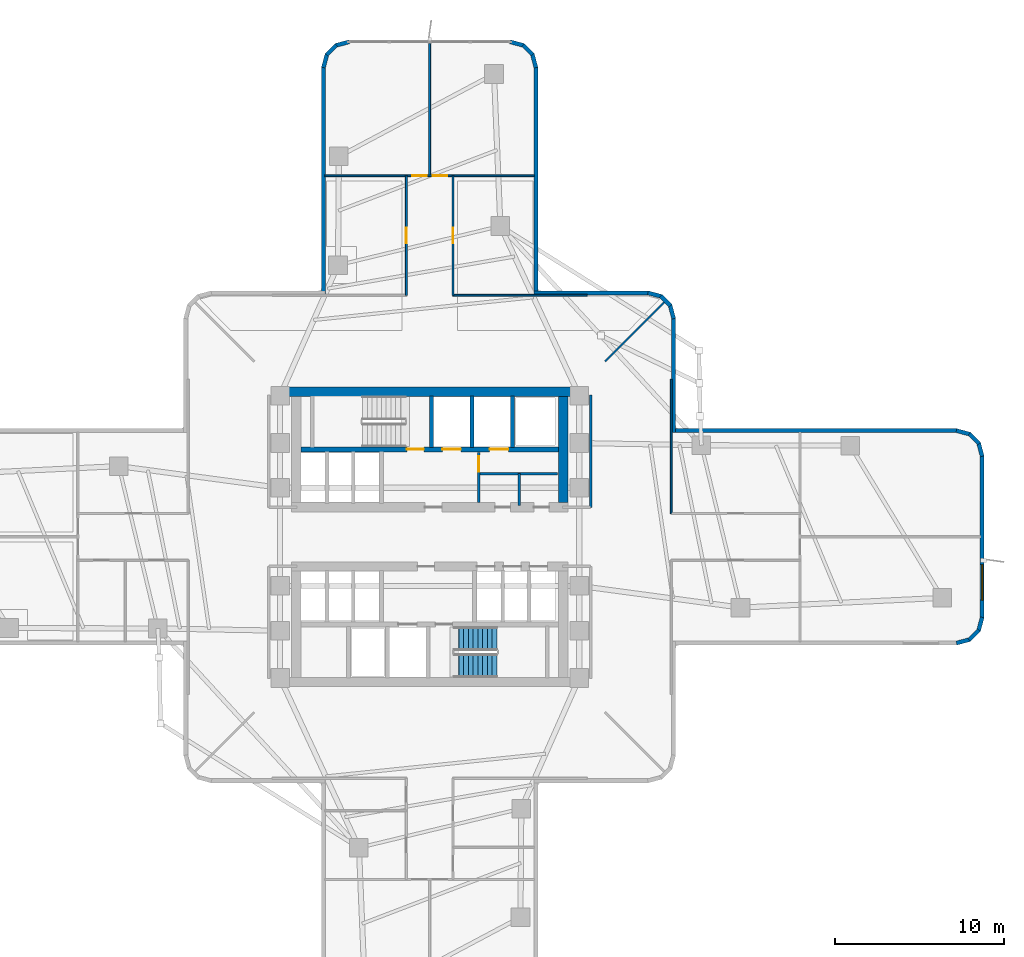
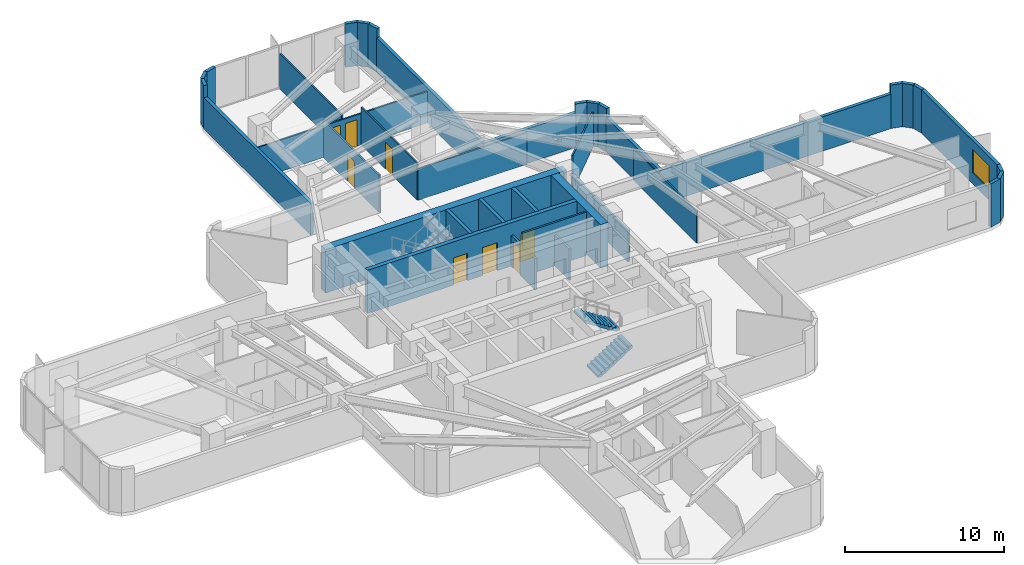
# One storey, part 10 of 14: 38 walls, 8 doors, 2 stair flights, 1 window, 9 openings, 1 element without a shape of its own.
"""IFC4 building model written with IfcOpenShell, lengths in metres."""

from ifc_helpers import new_model, si_unit, direction, frame, frame_2d, origin, place, context, subcontext, project, spatial, polyline, rectangle, outline, extrude, material, layer, layer_set, type_object, element, fill, aggregate, save


model = new_model("IFC4")

# Units and contexts
model_context = context("Model", 3, precision=1e-05, world=origin(), true_north=direction((0.0, 1.0)))
body_context = subcontext(model_context, "Body", "Model", "MODEL_VIEW")
ifc_project = project(units=[si_unit("LENGTHUNIT", "METRE"), si_unit("AREAUNIT", "SQUARE_METRE"), si_unit("VOLUMEUNIT", "CUBIC_METRE"), si_unit("PLANEANGLEUNIT", "RADIAN"), si_unit("MASSUNIT", "GRAM", prefix="KILO")], contexts=[model_context])

# Site, building, storey
site_placement = place(None, origin())
site = spatial("IfcSite", under=ifc_project, at=site_placement, CompositionType="ELEMENT")
building_placement = place(site_placement, origin())
building = spatial("IfcBuilding", under=site, at=building_placement, Name="Solmarez Civic Tower", CompositionType="ELEMENT")
storey_placement = place(building_placement, frame((0.0, 0.0, 31.679931640625)))
storey = spatial("IfcBuildingStorey", under=building, at=storey_placement, Name="L07", CompositionType="ELEMENT", Elevation=31.679931640625)

# Walls
ifc_material_1 = material(Name="Concrete C60/75", Category="concrete")
ifc_layer_1 = layer(ifc_material_1, 0.550048828125)
ifc_layer_set_1 = layer_set([ifc_layer_1], Name="Concrete C60/75")
wall_type_1 = type_object("IfcWallType", Name="WALL-CORE-550", PredefinedType="SHEAR", material=ifc_layer_set_1)
wall_1_placement = place(storey_placement, frame((-8.780029296875, 8.5849609375, 0.0), z_axis=(0.0, 0.0, 1.0), x_axis=(1.0, 0.0, 0.0)))
element("IfcWall", 1, at=wall_1_placement, inside=storey, type_object=wall_type_1, Name="L07 Split-Core Structural Wall NCW-N-L07", PredefinedType="SHEAR", context=body_context, shape_type="SweptSolid", body=[
    extrude(rectangle(XDim=17.56005859375, YDim=0.550048828125, at=frame_2d((8.780029296875, 0.0))), origin(), (0.0, 0.0, 1.0), 3.340087890625),
])
wall_2_placement = place(storey_placement, frame((7.89501953125, 8.31005859375, 0.0), z_axis=(0.0, 0.0, 1.0), x_axis=(0.0, -1.0, 0.0)))
element("IfcWall", 2, at=wall_2_placement, inside=storey, type_object=wall_type_1, Name="L07 Split-Core Structural Wall NCW-E-L07", PredefinedType="SHEAR", context=body_context, shape_type="SweptSolid", body=[
    extrude(rectangle(XDim=6.28515625, YDim=0.550048828125, at=frame_2d((3.142578125, 0.0))), origin(), (0.0, 0.0, 1.0), 3.340087890625),
])
ifc_material_2 = material(Name="Precast concrete C40/50", Category="concrete")
ifc_layer_2 = layer(ifc_material_2, 0.239990234375)
ifc_layer_set_2 = layer_set([ifc_layer_2], Name="Precast concrete C40/50")
wall_type_2 = type_object("IfcWallType", Name="WALL-EXT-240", PredefinedType="SOLIDWALL", material=ifc_layer_set_2)
wall_3_placement = place(storey_placement, frame((-6.280029296875, 14.333984375, 0.0), z_axis=(0.0, 0.0, 1.0), x_axis=(0.0, 1.0, 0.0)))
element("IfcWall", 3, at=wall_3_placement, inside=storey, type_object=wall_type_2, Name="L07 Exterior Precast Wall 20", PredefinedType="SOLIDWALL", context=body_context, shape_type="SweptSolid", body=[
    extrude(rectangle(XDim=13.47509765625, YDim=0.239990234375, at=frame_2d((6.737548828125, 0.0))), origin(), (0.0, 0.0, 1.0), 2.421142578125),
])
wall_4_placement = place(storey_placement, frame((-6.285888671875, 27.760009765625, 0.0), z_axis=(0.0, 0.0, 1.0), x_axis=(0.25766265056, 0.966234939601, 0.0)))
element("IfcWall", 4, at=wall_4_placement, inside=storey, type_object=wall_type_2, Name="L07 Exterior Precast Wall 21", PredefinedType="SOLIDWALL", context=body_context, shape_type="SweptSolid", body=[
    extrude(rectangle(XDim=0.830078125, YDim=0.239990234375, at=frame_2d((0.4150390625, 0.0))), origin(), (0.0, 0.0, 1.0), 3.340087890625),
])
wall_5_placement = place(storey_placement, frame((-6.095947265625, 28.52001953125, 0.0), z_axis=(0.0, 0.0, 1.0), x_axis=(0.707106781187, 0.707106781187, 0.0)))
element("IfcWall", 5, at=wall_5_placement, inside=storey, type_object=wall_type_2, Name="L07 Exterior Precast Wall 22", PredefinedType="SOLIDWALL", context=body_context, shape_type="SweptSolid", body=[
    extrude(rectangle(XDim=0.814453125, YDim=0.239990234375, at=frame_2d((0.4072265625, 0.0))), origin(), (0.0, 0.0, 1.0), 3.340087890625),
])
for number, where, z_axis, x_axis, name in (
    (6, (-5.56201171875, 29.072021484375, 0.0), (0.0, 0.0, 1.0), (0.966234939601, 0.25766265056, 0.0), "L07 Exterior Precast Wall 23"),
    (7, (4.760009765625, 29.285888671875, 0.0), (0.0, 0.0, 1.0), (0.966234939601, -0.25766265056, 0.0), "L07 Exterior Precast Wall 25"),
):
    element("IfcWall", number, at=place(storey_placement, frame(where, z_axis=z_axis, x_axis=x_axis)), inside=storey, type_object=wall_type_2, Name=name, PredefinedType="SOLIDWALL", context=body_context, shape_type="SweptSolid", body=[
        extrude(rectangle(XDim=0.830078125, YDim=0.239990234375, at=frame_2d((0.4150390625, 0.0))), origin(), (0.0, 0.0, 1.0), 3.340087890625),
    ])
wall_6_placement = place(storey_placement, frame((5.52001953125, 29.095947265625, 0.0), z_axis=(0.0, 0.0, 1.0), x_axis=(0.707106781187, -0.707106781187, 0.0)))
element("IfcWall", 8, at=wall_6_placement, inside=storey, type_object=wall_type_2, Name="L07 Exterior Precast Wall 26", PredefinedType="SOLIDWALL", context=body_context, shape_type="SweptSolid", body=[
    extrude(rectangle(XDim=0.814453125, YDim=0.239990234375, at=frame_2d((0.4072265625, 0.0))), origin(), (0.0, 0.0, 1.0), 3.340087890625),
])
wall_7_placement = place(storey_placement, frame((6.072021484375, 28.56201171875, 0.0), z_axis=(0.0, 0.0, 1.0), x_axis=(0.25766265056, -0.966234939601, 0.0)))
element("IfcWall", 9, at=wall_7_placement, inside=storey, type_object=wall_type_2, Name="L07 Exterior Precast Wall 27", PredefinedType="SOLIDWALL", context=body_context, shape_type="SweptSolid", body=[
    extrude(rectangle(XDim=0.830078125, YDim=0.239990234375, at=frame_2d((0.4150390625, 0.0))), origin(), (0.0, 0.0, 1.0), 3.340087890625),
])
wall_8_placement = place(storey_placement, frame((6.280029296875, 27.80908203125, 0.0), z_axis=(0.0, 0.0, 1.0), x_axis=(0.0, -1.0, 0.0)))
element("IfcWall", 10, at=wall_8_placement, inside=storey, type_object=wall_type_2, Name="L07 Exterior Precast Wall 28", PredefinedType="SOLIDWALL", context=body_context, shape_type="SweptSolid", body=[
    extrude(rectangle(XDim=13.47509765625, YDim=0.239990234375, at=frame_2d((6.737548828125, 0.0))), origin(), (0.0, 0.0, 1.0), 2.64404296875),
])
wall_9_placement = place(storey_placement, frame((6.18408203125, 14.429931640625, 0.0), z_axis=(0.0, 0.0, 1.0), x_axis=(1.0, 0.0, 0.0)))
element("IfcWall", 11, at=wall_9_placement, inside=storey, type_object=wall_type_2, Name="L07 Exterior Precast Wall 31", PredefinedType="SOLIDWALL", context=body_context, shape_type="SweptSolid", body=[
    extrude(rectangle(XDim=6.77490234375, YDim=0.239990234375, at=frame_2d((3.387451171875, 0.0))), origin(), (0.0, 0.0, 1.0), 2.64404296875),
])
wall_10_placement = place(storey_placement, frame((12.909912109375, 14.43603515625, 0.0), z_axis=(0.0, 0.0, 1.0), x_axis=(0.966161677396, -0.257937227116, 0.0)))
element("IfcWall", 12, at=wall_10_placement, inside=storey, type_object=wall_type_2, Name="L07 Exterior Precast Wall 32", PredefinedType="SOLIDWALL", context=body_context, shape_type="SweptSolid", body=[
    extrude(rectangle(XDim=0.830078125, YDim=0.239990234375, at=frame_2d((0.4150390625, 0.0))), origin(), (0.0, 0.0, 1.0), 3.340087890625),
])
wall_11_placement = place(storey_placement, frame((13.669921875, 14.24609375, 0.0), z_axis=(0.0, 0.0, 1.0), x_axis=(0.707106781187, -0.707106781187, 0.0)))
element("IfcWall", 13, at=wall_11_placement, inside=storey, type_object=wall_type_2, Name="L07 Exterior Precast Wall 33", PredefinedType="SOLIDWALL", context=body_context, shape_type="SweptSolid", body=[
    extrude(rectangle(XDim=0.81494140625, YDim=0.239990234375, at=frame_2d((0.407470703125, 0.0))), origin(), (0.0, 0.0, 1.0), 3.340087890625),
])
wall_12_placement = place(storey_placement, frame((14.221923828125, 13.7119140625, 0.0), z_axis=(0.0, 0.0, 1.0), x_axis=(0.257937227116, -0.966161677396, 0.0)))
element("IfcWall", 14, at=wall_12_placement, inside=storey, type_object=wall_type_2, Name="L07 Exterior Precast Wall 34", PredefinedType="SOLIDWALL", context=body_context, shape_type="SweptSolid", body=[
    extrude(rectangle(XDim=0.830078125, YDim=0.239990234375, at=frame_2d((0.4150390625, 0.0))), origin(), (0.0, 0.0, 1.0), 3.340087890625),
])
wall_13_placement = place(storey_placement, frame((14.429931640625, 12.958984375, 0.0), z_axis=(0.0, 0.0, 1.0), x_axis=(0.0, -1.0, 0.0)))
element("IfcWall", 15, at=wall_13_placement, inside=storey, type_object=wall_type_2, Name="L07 Exterior Precast Wall 35", PredefinedType="SOLIDWALL", context=body_context, shape_type="SweptSolid", body=[
    extrude(rectangle(XDim=6.77490234375, YDim=0.239990234375, at=frame_2d((3.387451171875, 0.0))), origin(), (0.0, 0.0, 1.0), 2.64404296875),
])
wall_14_placement = place(storey_placement, frame((14.333984375, 6.280029296875, 0.0), z_axis=(0.0, 0.0, 1.0), x_axis=(1.0, 0.0, 0.0)))
element("IfcWall", 16, at=wall_14_placement, inside=storey, type_object=wall_type_2, Name="L07 Exterior Precast Wall 38", PredefinedType="SOLIDWALL", context=body_context, shape_type="SweptSolid", body=[
    extrude(rectangle(XDim=16.875, YDim=0.239990234375, at=frame_2d((8.4375, 0.0))), origin(), (0.0, 0.0, 1.0), 2.64404296875),
])
wall_15_placement = place(storey_placement, frame((31.159912109375, 6.285888671875, 0.0), z_axis=(0.0, 0.0, 1.0), x_axis=(0.966234939601, -0.25766265056, 0.0)))
element("IfcWall", 17, at=wall_15_placement, inside=storey, type_object=wall_type_2, Name="L07 Exterior Precast Wall 39", PredefinedType="SOLIDWALL", context=body_context, shape_type="SweptSolid", body=[
    extrude(rectangle(XDim=0.830078125, YDim=0.239990234375, at=frame_2d((0.4150390625, 0.0))), origin(), (0.0, 0.0, 1.0), 3.340087890625),
])
wall_16_placement = place(storey_placement, frame((31.919921875, 6.095947265625, 0.0), z_axis=(0.0, 0.0, 1.0), x_axis=(0.707256607812, -0.706956922808, 0.0)))
element("IfcWall", 18, at=wall_16_placement, inside=storey, type_object=wall_type_2, Name="L07 Exterior Precast Wall 40", PredefinedType="SOLIDWALL", context=body_context, shape_type="SweptSolid", body=[
    extrude(rectangle(XDim=0.814697265625, YDim=0.239990234375, at=frame_2d((0.4072265625, 0.0))), origin(), (0.0, 0.0, 1.0), 3.340087890625),
])
wall_17_placement = place(storey_placement, frame((32.471923828125, 5.56201171875, 0.0), z_axis=(0.0, 0.0, 1.0), x_axis=(0.257937227116, -0.966161677396, 0.0)))
element("IfcWall", 19, at=wall_17_placement, inside=storey, type_object=wall_type_2, Name="L07 Exterior Precast Wall 41", PredefinedType="SOLIDWALL", context=body_context, shape_type="SweptSolid", body=[
    extrude(rectangle(XDim=0.830078125, YDim=0.239990234375, at=frame_2d((0.4150390625, 0.0))), origin(), (0.0, 0.0, 1.0), 3.340087890625),
])

# Wall, opening, window
wall_18_placement = place(storey_placement, frame((32.679931640625, 4.80908203125, 0.0), z_axis=(0.0, 0.0, 1.0), x_axis=(0.0, -1.0, 0.0)))
wall_18 = element("IfcWall", 20, at=wall_18_placement, inside=storey, type_object=wall_type_2, Name="L07 Exterior Precast Wall 42", PredefinedType="SOLIDWALL", context=body_context, shape_type="SweptSolid", body=[
    extrude(rectangle(XDim=9.6181640625, YDim=0.239990234375, at=frame_2d((4.80908203125, 0.0))), origin(), (0.0, 0.0, 1.0), 3.340087890625),
])
opening_1_placement = place(wall_18_placement, frame((6.451904296875, 0.0, 0.85009765625)))
opening_1 = element("IfcOpeningElement", 21, at=opening_1_placement, cuts=wall_18, Name="Opening W-07", PredefinedType="OPENING", context=body_context, shape_type="SweptSolid", body=[
    extrude(rectangle(XDim=2.10009765625, YDim=1.800048828125, at=frame_2d((1.050048828125, 0.89990234375))), frame((0.0, 0.1298828125, 0.0), z_axis=(0.0, -1.0, 0.0), x_axis=(1.0, 0.0, 0.0)), (0.0, 0.0, 1.0), 0.260009765625),
])
ifc_material_3 = material(Name="Solar Control Bronze-Tinted Insulating Glass", Category="glass")
window_type = type_object("IfcWindowType", Name="WIN-2100X1800", PartitioningType="SINGLE_PANEL", PredefinedType="WINDOW", material=ifc_material_3)
window_placement = place(opening_1_placement, origin())
window = element("IfcWindow", 22, at=window_placement, inside=storey, type_object=window_type, Name="L07 Exterior Facade Window 42", OverallHeight=1.800048828125, OverallWidth=2.10009765625, PartitioningType="SINGLE_PANEL", PredefinedType="WINDOW", context=body_context, shape_type="SweptSolid", body=[
    extrude(rectangle(XDim=2.10009765625, YDim=1.800048828125, at=frame_2d((1.050048828125, 0.89990234375))), frame((0.0, 0.030029296875, 0.0), z_axis=(0.0, -1.0, 0.0), x_axis=(1.0, 0.0, 0.0)), (0.0, 0.0, 1.0), 0.06005859375),
])
fill(opening_1, window)

# Walls
wall_19_placement = place(storey_placement, frame((32.68603515625, -4.760009765625, 0.0), z_axis=(0.0, 0.0, 1.0), x_axis=(-0.257937227116, -0.966161677396, 0.0)))
element("IfcWall", 23, at=wall_19_placement, inside=storey, type_object=wall_type_2, Name="L07 Exterior Precast Wall 43", PredefinedType="SOLIDWALL", context=body_context, shape_type="SweptSolid", body=[
    extrude(rectangle(XDim=0.830078125, YDim=0.239990234375, at=frame_2d((0.4150390625, 0.0))), origin(), (0.0, 0.0, 1.0), 3.340087890625),
])
wall_20_placement = place(storey_placement, frame((32.49609375, -5.52001953125, 0.0), z_axis=(0.0, 0.0, 1.0), x_axis=(-0.707256607812, -0.706956922808, 0.0)))
element("IfcWall", 24, at=wall_20_placement, inside=storey, type_object=wall_type_2, Name="L07 Exterior Precast Wall 44", PredefinedType="SOLIDWALL", context=body_context, shape_type="SweptSolid", body=[
    extrude(rectangle(XDim=0.814697265625, YDim=0.239990234375, at=frame_2d((0.4072265625, 0.0))), origin(), (0.0, 0.0, 1.0), 3.340087890625),
])
wall_21_placement = place(storey_placement, frame((31.9619140625, -6.072021484375, 0.0), z_axis=(0.0, 0.0, 1.0), x_axis=(-0.966234939601, -0.25766265056, 0.0)))
element("IfcWall", 25, at=wall_21_placement, inside=storey, type_object=wall_type_2, Name="L07 Exterior Precast Wall 45", PredefinedType="SOLIDWALL", context=body_context, shape_type="SweptSolid", body=[
    extrude(rectangle(XDim=0.830078125, YDim=0.239990234375, at=frame_2d((0.4150390625, 0.0))), origin(), (0.0, 0.0, 1.0), 3.340087890625),
])
ifc_material_4 = material(Name="Gypsum Board Acoustic Steel-Stud Partition", Category="steel")
ifc_layer_3 = layer(ifc_material_4, 0.14990234375)
ifc_layer_set_3 = layer_set([ifc_layer_3], Name="Gypsum Board Acoustic Steel-Stud Partition")
wall_type_3 = type_object("IfcWallType", Name="WALL-INT-FIRE-150", PredefinedType="PARTITIONING", material=ifc_layer_set_3)
wall_22_placement = place(storey_placement, frame((9.52001953125, 1.75, 0.0), z_axis=(0.0, 0.0, 1.0), x_axis=(0.0, 1.0, 0.0)))
element("IfcWall", 26, at=wall_22_placement, inside=storey, type_object=wall_type_3, Name="L07 Interior Partition CHW-L07-EN1", PredefinedType="PARTITIONING", context=body_context, shape_type="SweptSolid", body=[
    extrude(rectangle(XDim=6.6298828125, YDim=0.14990234375, at=frame_2d((3.31494140625, 0.0))), origin(), (0.0, 0.0, 1.0), 2.421142578125),
])
ifc_layer_4 = layer(ifc_material_4, 0.110107421875)
ifc_layer_set_4 = layer_set([ifc_layer_4], Name="Gypsum Board Acoustic Steel-Stud Partition")
wall_type_4 = type_object("IfcWallType", Name="WALL-INT-PART-110", PredefinedType="PARTITIONING", material=ifc_layer_set_4)
wall_23_placement = place(storey_placement, frame((10.3798828125, 10.3798828125, 0.0), z_axis=(0.0, 0.0, 1.0), x_axis=(0.707106781187, 0.707106781187, 0.0)))
element("IfcWall", 27, at=wall_23_placement, inside=storey, type_object=wall_type_4, Name="L07 Interior Partition PT-L07-QDIV-1", PredefinedType="PARTITIONING", context=body_context, shape_type="SweptSolid", body=[
    extrude(rectangle(XDim=4.975341796875, YDim=0.110107421875, at=frame_2d((2.48779296875, 0.0))), origin(), (0.0, 0.0, 1.0), 2.64404296875),
])
for number, where, z_axis, x_axis, name in (
    (28, (14.2900390625, 1.3701171875, 0.0), (0.0, 0.0, 1.0), (0.0, 1.0, 0.0), "L07 Interior Partition PT-L07-E-EFL"),
    (29, (9.320068359375, 14.2900390625, 0.0), (0.0, 0.0, 1.0), (-1.0, 0.0, 0.0), "L07 Interior Partition PT-L07-N-EFR"),
):
    element("IfcWall", number, at=place(storey_placement, frame(where, z_axis=z_axis, x_axis=x_axis)), inside=storey, type_object=wall_type_4, Name=name, PredefinedType="PARTITIONING", context=body_context, shape_type="SweptSolid", body=[
        extrude(rectangle(XDim=7.949951171875, YDim=0.110107421875, at=frame_2d((3.97509765625, 0.0))), origin(), (0.0, 0.0, 1.0), 2.421142578125),
    ])

# Wall, opening, door
wall_24_placement = place(storey_placement, frame((-1.3798828125, 21.360107421875, 0.0), z_axis=(0.0, 0.0, 1.0), x_axis=(0.0, -1.0, 0.0)))
wall_24 = element("IfcWall", 30, at=wall_24_placement, inside=storey, type_object=wall_type_4, Name="L07 Interior Partition PT-L07-N-SL", PredefinedType="PARTITIONING", context=body_context, shape_type="SweptSolid", body=[
    extrude(rectangle(XDim=7.070068359375, YDim=0.110107421875, at=frame_2d((3.53515625, 0.0))), origin(), (0.0, 0.0, 1.0), 2.869140625),
])
opening_2_placement = place(wall_24_placement, frame((3.0849609375, 0.0, 0.0)))
opening_2 = element("IfcOpeningElement", 31, at=opening_2_placement, cuts=wall_24, Name="Opening D-08", PredefinedType="OPENING", context=body_context, shape_type="SweptSolid", body=[
    extrude(rectangle(XDim=0.89990234375, YDim=2.06005859375, at=frame_2d((0.449951171875, 1.030029296875))), frame((0.0, 0.06494140625, 0.0), z_axis=(0.0, -1.0, 0.0), x_axis=(1.0, 0.0, 0.0)), (0.0, 0.0, 1.0), 0.130126953125),
])
ifc_material_5 = material(Name="Solid-Core Timber Office Door", Category="wood")
door_type_1 = type_object("IfcDoorType", Name="DOOR-INT-900", OperationType="NOTDEFINED", PredefinedType="DOOR", material=ifc_material_5)
door_1_placement = place(opening_2_placement, origin())
door_1 = element("IfcDoor", 32, at=door_1_placement, inside=storey, type_object=door_type_1, Name="L07 Directorate Office North Door", OperationType="SINGLE_SWING_LEFT", OverallHeight=2.06005859375, OverallWidth=0.89990234375, PredefinedType="DOOR", context=body_context, shape_type="SweptSolid", body=[
    extrude(rectangle(XDim=0.89990234375, YDim=2.06005859375, at=frame_2d((0.449951171875, 1.030029296875))), frame((0.0, 0.02490234375, 0.0), z_axis=(0.0, -1.0, 0.0), x_axis=(1.0, 0.0, 0.0)), (0.0, 0.0, 1.0), 0.050048828125),
])
fill(opening_2, door_1)

wall_25_placement = place(storey_placement, frame((1.3798828125, 14.2900390625, 0.0), z_axis=(0.0, 0.0, 1.0), x_axis=(0.0, 1.0, 0.0)))
wall_25 = element("IfcWall", 33, at=wall_25_placement, inside=storey, type_object=wall_type_4, Name="L07 Interior Partition PT-L07-N-SR", PredefinedType="PARTITIONING", context=body_context, shape_type="SweptSolid", body=[
    extrude(rectangle(XDim=7.070068359375, YDim=0.110107421875, at=frame_2d((3.53515625, 0.0))), origin(), (0.0, 0.0, 1.0), 2.869140625),
])
opening_3_placement = place(wall_25_placement, frame((3.0849609375, 0.0, 0.0)))
opening_3 = element("IfcOpeningElement", 34, at=opening_3_placement, cuts=wall_25, Name="Opening D-08", PredefinedType="OPENING", context=body_context, shape_type="SweptSolid", body=[
    extrude(rectangle(XDim=0.89990234375, YDim=2.06005859375, at=frame_2d((0.449951171875, 1.030029296875))), frame((0.0, 0.06494140625, 0.0), z_axis=(0.0, -1.0, 0.0), x_axis=(1.0, 0.0, 0.0)), (0.0, 0.0, 1.0), 0.130126953125),
])
door_2_placement = place(opening_3_placement, origin())
door_2 = element("IfcDoor", 35, at=door_2_placement, inside=storey, type_object=door_type_1, Name="L07 Policy Boardroom North Door", OperationType="SINGLE_SWING_RIGHT", OverallHeight=2.06005859375, OverallWidth=0.89990234375, PredefinedType="DOOR", context=body_context, shape_type="SweptSolid", body=[
    extrude(rectangle(XDim=0.89990234375, YDim=2.06005859375, at=frame_2d((0.449951171875, 1.030029296875))), frame((0.0, 0.02490234375, 0.0), z_axis=(0.0, -1.0, 0.0), x_axis=(1.0, 0.0, 0.0)), (0.0, 0.0, 1.0), 0.050048828125),
])
fill(opening_3, door_2)

# Wall
wall_26_placement = place(storey_placement, frame((0.0, 21.419921875, 0.0), z_axis=(0.0, 0.0, 1.0), x_axis=(0.0, 1.0, 0.0)))
element("IfcWall", 36, at=wall_26_placement, inside=storey, type_object=wall_type_4, Name="L07 Interior Partition PT-L07-N-TM", PredefinedType="PARTITIONING", context=body_context, shape_type="SweptSolid", body=[
    extrude(rectangle(XDim=7.775146484375, YDim=0.110107421875, at=frame_2d((3.8876953125, 0.0))), origin(), (0.0, 0.0, 1.0), 2.719970703125),
])

# Wall, openings, doors
wall_27_placement = place(storey_placement, frame((-6.195068359375, 21.360107421875, 0.0), z_axis=(0.0, 0.0, 1.0), x_axis=(1.0, 0.0, 0.0)))
wall_27 = element("IfcWall", 37, at=wall_27_placement, inside=storey, type_object=wall_type_4, Name="L07 Interior Partition PT-L07-N-END", PredefinedType="PARTITIONING", context=body_context, shape_type="SweptSolid", body=[
    extrude(rectangle(XDim=12.39013671875, YDim=0.110107421875, at=frame_2d((6.195068359375, 0.0))), origin(), (0.0, 0.0, 1.0), 2.421142578125),
])
opening_4_placement = place(wall_27_placement, frame((6.364990234375, 0.0, 0.0)))
opening_4 = element("IfcOpeningElement", 38, at=opening_4_placement, cuts=wall_27, Name="Opening D-14", PredefinedType="OPENING", context=body_context, shape_type="SweptSolid", body=[
    extrude(rectangle(XDim=0.860107421875, YDim=2.0400390625, at=frame_2d((0.43017578125, 1.02001953125))), frame((0.0, 0.06494140625, 0.0), z_axis=(0.0, -1.0, 0.0), x_axis=(1.0, 0.0, 0.0)), (0.0, 0.0, 1.0), 0.130126953125),
])
opening_5_placement = place(wall_27_placement, frame((5.1650390625, 0.0, 0.0)))
opening_5 = element("IfcOpeningElement", 39, at=opening_5_placement, cuts=wall_27, Name="Opening D-14", PredefinedType="OPENING", context=body_context, shape_type="SweptSolid", body=[
    extrude(rectangle(XDim=0.860107421875, YDim=2.0400390625, at=frame_2d((0.43017578125, 1.02001953125))), frame((0.0, 0.06494140625, 0.0), z_axis=(0.0, -1.0, 0.0), x_axis=(1.0, 0.0, 0.0)), (0.0, 0.0, 1.0), 0.130126953125),
])
ifc_material_6 = material(Name="Timber Storage and Pantry Door", Category="wood")
door_type_2 = type_object("IfcDoorType", Name="DOOR-INT-850", OperationType="NOTDEFINED", PredefinedType="DOOR", material=ifc_material_6)
door_3_placement = place(opening_4_placement, origin())
door_3 = element("IfcDoor", 40, at=door_3_placement, inside=storey, type_object=door_type_2, Name="L07 Ministry Open Workspace Sixth North Door", OperationType="SINGLE_SWING_RIGHT", OverallHeight=2.0400390625, OverallWidth=0.860107421875, PredefinedType="DOOR", context=body_context, shape_type="SweptSolid", body=[
    extrude(rectangle(XDim=0.860107421875, YDim=2.0400390625, at=frame_2d((0.43017578125, 1.02001953125))), frame((0.0, 0.02490234375, 0.0), z_axis=(0.0, -1.0, 0.0), x_axis=(1.0, 0.0, 0.0)), (0.0, 0.0, 1.0), 0.050048828125),
])
fill(opening_4, door_3)
door_4_placement = place(opening_5_placement, origin())
door_4 = element("IfcDoor", 41, at=door_4_placement, inside=storey, type_object=door_type_2, Name="L07 Staff Pantry Fifth North Door", OperationType="SINGLE_SWING_LEFT", OverallHeight=2.0400390625, OverallWidth=0.860107421875, PredefinedType="DOOR", context=body_context, shape_type="SweptSolid", body=[
    extrude(rectangle(XDim=0.860107421875, YDim=2.0400390625, at=frame_2d((0.43017578125, 1.02001953125))), frame((0.0, 0.02490234375, 0.0), z_axis=(0.0, -1.0, 0.0), x_axis=(1.0, 0.0, 0.0)), (0.0, 0.0, 1.0), 0.050048828125),
])
fill(opening_5, door_4)

# Wall, opening, door
ifc_layer_5 = layer(ifc_material_4, 0.159912109375)
ifc_layer_set_5 = layer_set([ifc_layer_5], Name="Gypsum Board Acoustic Steel-Stud Partition")
wall_type_5 = type_object("IfcWallType", Name="WALL-INT-SHAFT-160", PredefinedType="PARTITIONING", material=ifc_layer_set_5)
wall_28_placement = place(storey_placement, frame((2.89990234375, 2.0400390625, 0.0), z_axis=(0.0, 0.0, 1.0), x_axis=(0.0, 1.0, 0.0)))
wall_28 = element("IfcWall", 42, at=wall_28_placement, inside=storey, type_object=wall_type_5, Name="L07 Interior Partition SHW-NL2-L07", PredefinedType="PARTITIONING", context=body_context, shape_type="SweptSolid", body=[
    extrude(rectangle(XDim=2.93994140625, YDim=0.159912109375, at=frame_2d((1.469970703125, 0.0))), origin(), (0.0, 0.0, 1.0), 2.405029296875),
])
opening_6_placement = place(wall_28_placement, frame((1.820068359375, 0.0, 0.0)))
opening_6 = element("IfcOpeningElement", 43, at=opening_6_placement, cuts=wall_28, Name="Opening D-09", PredefinedType="OPENING", context=body_context, shape_type="SweptSolid", body=[
    extrude(rectangle(XDim=0.89990234375, YDim=2.06005859375, at=frame_2d((0.449951171875, 1.030029296875))), frame((0.0, 0.08984375, 0.0), z_axis=(0.0, -1.0, 0.0), x_axis=(1.0, 0.0, 0.0)), (0.0, 0.0, 1.0), 0.179931640625),
])
ifc_material_7 = material(Name="Fire-Rated Service Core Door", Category="wood")
door_type_3 = type_object("IfcDoorType", Name="DOOR-FD60-900", OperationType="NOTDEFINED", PredefinedType="DOOR", material=ifc_material_7)
door_5_placement = place(opening_6_placement, origin())
door_5 = element("IfcDoor", 44, at=door_5_placement, inside=storey, type_object=door_type_3, Name="L07 Service Lift Lobby Door", OperationType="SINGLE_SWING_LEFT", OverallHeight=2.06005859375, OverallWidth=0.89990234375, PredefinedType="DOOR", context=body_context, shape_type="SweptSolid", body=[
    extrude(rectangle(XDim=0.89990234375, YDim=2.06005859375, at=frame_2d((0.449951171875, 1.030029296875))), frame((0.0, 0.02490234375, 0.0), z_axis=(0.0, -1.0, 0.0), x_axis=(1.0, 0.0, 0.0)), (0.0, 0.0, 1.0), 0.050048828125),
])
fill(opening_6, door_5)

# Walls
ifc_layer_6 = layer(ifc_material_4, 0.137939453125)
ifc_layer_set_6 = layer_set([ifc_layer_6], Name="Gypsum Board Acoustic Steel-Stud Partition")
wall_type_6 = type_object("IfcWallType", Name="WALL-INT-WET-140", PredefinedType="PARTITIONING", material=ifc_layer_set_6)
wall_29_placement = place(storey_placement, frame((2.89990234375, 3.739990234375, 0.0), z_axis=(0.0, 0.0, 1.0), x_axis=(1.0, 0.0, 0.0)))
element("IfcWall", 45, at=wall_29_placement, inside=storey, type_object=wall_type_6, Name="L07 Interior Partition SHW-SVH-L07", PredefinedType="PARTITIONING", context=body_context, shape_type="SweptSolid", body=[
    extrude(rectangle(XDim=4.650146484375, YDim=0.137939453125, at=frame_2d((2.3251953125, 0.0))), origin(), (0.0, 0.0, 1.0), 3.340087890625),
])
wall_30_placement = place(storey_placement, frame((5.300048828125, 1.85009765625, 0.0), z_axis=(0.0, 0.0, 1.0), x_axis=(0.0, 1.0, 0.0)))
element("IfcWall", 46, at=wall_30_placement, inside=storey, type_object=wall_type_6, Name="L07 Interior Partition PT-NCSV-L07", PredefinedType="PARTITIONING", context=body_context, shape_type="SweptSolid", body=[
    extrude(rectangle(XDim=1.889892578125, YDim=0.137939453125, at=frame_2d((0.94482421875, 0.0))), origin(), (0.0, 0.0, 1.0), 2.405029296875),
])

# Wall, openings, doors
ifc_material_8 = material(Name="Concrete C50/60", Category="concrete")
ifc_layer_7 = layer(ifc_material_8, 0.300048828125)
ifc_layer_set_7 = layer_set([ifc_layer_7], Name="Concrete C50/60")
wall_type_7 = type_object("IfcWallType", Name="WALL-STR-300", PredefinedType="SOLIDWALL", material=ifc_layer_set_7)
wall_31_placement = place(storey_placement, frame((7.6201171875, 5.179931640625, 0.0), z_axis=(0.0, 0.0, 1.0), x_axis=(-1.0, 0.0, 0.0)))
wall_31 = element("IfcWall", 47, at=wall_31_placement, inside=storey, type_object=wall_type_7, Name="L07 Split-Core Structural Wall NCW-M-L07", PredefinedType="SOLIDWALL", context=body_context, shape_type="SweptSolid", body=[
    extrude(rectangle(XDim=15.240234375, YDim=0.300048828125, at=frame_2d((7.6201171875, 0.0))), origin(), (0.0, 0.0, 1.0), 3.340087890625),
])
opening_7_placement = place(wall_31_placement, frame((5.77001953125, 0.0, 0.0)))
opening_7 = element("IfcOpeningElement", 48, at=opening_7_placement, cuts=wall_31, Name="Opening LD-02", PredefinedType="OPENING", context=body_context, shape_type="SweptSolid", body=[
    extrude(rectangle(XDim=1.10009765625, YDim=2.14990234375, at=frame_2d((0.550048828125, 1.074951171875))), frame((0.0, 0.159912109375, 0.0), z_axis=(0.0, -1.0, 0.0), x_axis=(1.0, 0.0, 0.0)), (0.0, 0.0, 1.0), 0.320068359375),
])
opening_8_placement = place(wall_31_placement, frame((2.969970703125, 0.0, 0.0)))
opening_8 = element("IfcOpeningElement", 49, at=opening_8_placement, cuts=wall_31, Name="Opening LD-03", PredefinedType="OPENING", context=body_context, shape_type="SweptSolid", body=[
    extrude(rectangle(XDim=1.10009765625, YDim=2.14990234375, at=frame_2d((0.550048828125, 1.074951171875))), frame((0.0, 0.159912109375, 0.0), z_axis=(0.0, -1.0, 0.0), x_axis=(1.0, 0.0, 0.0)), (0.0, 0.0, 1.0), 0.320068359375),
])
opening_9_placement = place(wall_31_placement, frame((7.969970703125, 0.0, 0.0)))
opening_9 = element("IfcOpeningElement", 50, at=opening_9_placement, cuts=wall_31, Name="Opening D-05", PredefinedType="OPENING", context=body_context, shape_type="SweptSolid", body=[
    extrude(rectangle(XDim=1.0, YDim=2.10009765625, at=frame_2d((0.5, 1.050048828125))), frame((0.0, 0.159912109375, 0.0), z_axis=(0.0, -1.0, 0.0), x_axis=(1.0, 0.0, 0.0)), (0.0, 0.0, 1.0), 0.320068359375),
])
ifc_material_9 = material(Name="Fire-Rated Stairwell Exit Door", Category="wood")
door_type_4 = type_object("IfcDoorType", Name="DOOR-FD90-1000", OperationType="NOTDEFINED", PredefinedType="DOOR", material=ifc_material_9)
door_6_placement = place(opening_9_placement, origin())
door_6 = element("IfcDoor", 51, at=door_6_placement, inside=storey, type_object=door_type_4, Name="L07 North Exit Stair Door ST-1", OperationType="SINGLE_SWING_RIGHT", OverallHeight=2.10009765625, OverallWidth=1.0, PredefinedType="DOOR", context=body_context, shape_type="SweptSolid", body=[
    extrude(rectangle(XDim=1.0, YDim=2.10009765625, at=frame_2d((0.5, 1.050048828125))), frame((0.0, 0.02490234375, 0.0), z_axis=(0.0, -1.0, 0.0), x_axis=(1.0, 0.0, 0.0)), (0.0, 0.0, 1.0), 0.050048828125),
])
fill(opening_9, door_6)
ifc_material_10 = material(Name="Stainless Firefighting Lift Landing Sliding Door", Category="aluminium")
door_type_5 = type_object("IfcDoorType", Name="DOOR-LD-FF-1100", OperationType="DOUBLE_DOOR_SLIDING", PredefinedType="DOOR", material=ifc_material_10)
door_7_placement = place(opening_7_placement, origin())
door_7 = element("IfcDoor", 52, at=door_7_placement, inside=storey, type_object=door_type_5, Name="L07 Firefighting Lift Landing Door FFL-1", OperationType="DOUBLE_DOOR_SLIDING", OverallHeight=2.14990234375, OverallWidth=1.10009765625, PredefinedType="DOOR", context=body_context, shape_type="SweptSolid", body=[
    extrude(rectangle(XDim=1.10009765625, YDim=2.14990234375, at=frame_2d((0.550048828125, 1.074951171875))), frame((0.0, 0.02490234375, 0.0), z_axis=(0.0, -1.0, 0.0), x_axis=(1.0, 0.0, 0.0)), (0.0, 0.0, 1.0), 0.050048828125),
])
fill(opening_7, door_7)
ifc_material_11 = material(Name="Stainless Stretcher Lift Landing Sliding Door", Category="aluminium")
door_type_6 = type_object("IfcDoorType", Name="DOOR-LD-SV-1100", OperationType="DOUBLE_DOOR_SLIDING", PredefinedType="DOOR", material=ifc_material_11)
door_8_placement = place(opening_8_placement, origin())
door_8 = element("IfcDoor", 53, at=door_8_placement, inside=storey, type_object=door_type_6, Name="L07 Service Stretcher Lift Landing Door SVL-1", OperationType="DOUBLE_DOOR_SLIDING", OverallHeight=2.14990234375, OverallWidth=1.10009765625, PredefinedType="DOOR", context=body_context, shape_type="SweptSolid", body=[
    extrude(rectangle(XDim=1.10009765625, YDim=2.14990234375, at=frame_2d((0.550048828125, 1.074951171875))), frame((0.0, 0.02490234375, 0.0), z_axis=(0.0, -1.0, 0.0), x_axis=(1.0, 0.0, 0.0)), (0.0, 0.0, 1.0), 0.050048828125),
])
fill(opening_8, door_8)

# Walls
for number, where, z_axis, x_axis, name in (
    (54, (0.10009765625, 5.300048828125, 0.0), (0.0, 0.0, 1.0), (0.0, 1.0, 0.0), "L07 Split-Core Structural Wall SHW-N1-L07"),
    (55, (2.5, 5.300048828125, 0.0), (0.0, 0.0, 1.0), (0.0, 1.0, 0.0), "L07 Split-Core Structural Wall SHW-N2-L07"),
    (56, (4.89990234375, 5.300048828125, 0.0), (0.0, 0.0, 1.0), (0.0, 1.0, 0.0), "L07 Split-Core Structural Wall SHW-N3-L07"),
):
    element("IfcWall", number, at=place(storey_placement, frame(where, z_axis=z_axis, x_axis=x_axis)), inside=storey, type_object=wall_type_7, Name=name, PredefinedType="SOLIDWALL", context=body_context, shape_type="SweptSolid", body=[
        extrude(rectangle(XDim=3.0400390625, YDim=0.25, at=frame_2d((1.52001953125, 0.0))), origin(), (0.0, 0.0, 1.0), 3.340087890625),
    ])

# Stair, stair flights
stair_type = type_object("IfcStairType", Name="STAIR-DOGLEG-140W-20R-1800", PredefinedType="HALF_TURN_STAIR", material=ifc_material_8)
stair_placement = place(storey_placement, origin())
stair = element("IfcStair", 57, at=stair_placement, inside=storey, type_object=stair_type, Name="L07 South Core Protected Exit Stair ST-2", PredefinedType="HALF_TURN_STAIR")
stair_flight_type = type_object("IfcStairFlightType", Name="FLIGHT-DOGLEG-140W-10R-1800", PredefinedType="STRAIGHT", material=ifc_material_8)
stair_flight_1_placement = place(storey_placement, frame((1.449951171875, -7.6201171875, 0.0), z_axis=(0.0, 0.0, 1.0), x_axis=(1.0, 0.0, 0.0)))
stair_flight_1 = element("IfcStairFlight", 58, at=stair_flight_1_placement, type_object=stair_flight_type, Name="ST-2 flight 1", NumberOfRisers=10, NumberOfTreads=9, PredefinedType="STRAIGHT", RiserHeight=0.18, TreadLength=0.28, context=body_context, shape_type="SweptSolid", body=[
    extrude(outline(polyline([(0.0, 0.0), (0.0, 0.179931640625), (0.280029296875, 0.179931640625), (0.280029296875, 0.360107421875), (0.56005859375, 0.360107421875), (0.56005859375, 0.5400390625), (0.840087890625, 0.5400390625), (0.840087890625, 0.719970703125), (1.1201171875, 0.719970703125), (1.1201171875, 0.89990234375), (1.39990234375, 0.89990234375), (1.39990234375, 1.080078125), (1.679931640625, 1.080078125), (1.679931640625, 1.260009765625), (1.9599609375, 1.260009765625), (1.9599609375, 1.43994140625), (2.239990234375, 1.43994140625), (2.239990234375, 1.6201171875), (2.52001953125, 1.6201171875), (2.52001953125, 1.800048828125), (2.52001953125, 1.429931640625), (0.295654296875, 0.0), (0.0, 0.0)])), frame((0.0, 0.699951171875, 0.0), z_axis=(0.0, -1.0, 0.0), x_axis=(1.0, 0.0, 0.0)), (0.0, 0.0, 1.0), 1.39990234375),
])
stair_flight_2_placement = place(storey_placement, frame((3.969970703125, -6.02001953125, 1.800048828125), z_axis=(0.0, 0.0, 1.0), x_axis=(-1.0, 0.0, 0.0)))
stair_flight_2 = element("IfcStairFlight", 59, at=stair_flight_2_placement, type_object=stair_flight_type, Name="ST-2 flight 2", NumberOfRisers=10, NumberOfTreads=9, PredefinedType="STRAIGHT", RiserHeight=0.18, TreadLength=0.28, context=body_context, shape_type="SweptSolid", body=[
    extrude(outline(polyline([(0.0, 0.0), (0.0, 0.179931640625), (0.280029296875, 0.179931640625), (0.280029296875, 0.360107421875), (0.56005859375, 0.360107421875), (0.56005859375, 0.5400390625), (0.840087890625, 0.5400390625), (0.840087890625, 0.719970703125), (1.1201171875, 0.719970703125), (1.1201171875, 0.89990234375), (1.39990234375, 0.89990234375), (1.39990234375, 1.080078125), (1.679931640625, 1.080078125), (1.679931640625, 1.260009765625), (1.9599609375, 1.260009765625), (1.9599609375, 1.43994140625), (2.239990234375, 1.43994140625), (2.239990234375, 1.6201171875), (2.52001953125, 1.6201171875), (2.52001953125, 1.800048828125), (2.52001953125, 1.429931640625), (0.295654296875, 0.0), (0.0, 0.0)])), frame((0.0, 0.699951171875, 0.0), z_axis=(0.0, -1.0, 0.0), x_axis=(1.0, 0.0, 0.0)), (0.0, 0.0, 1.0), 1.39990234375),
])
aggregate(stair, [stair_flight_1, stair_flight_2])

save(model, "model.ifc")
